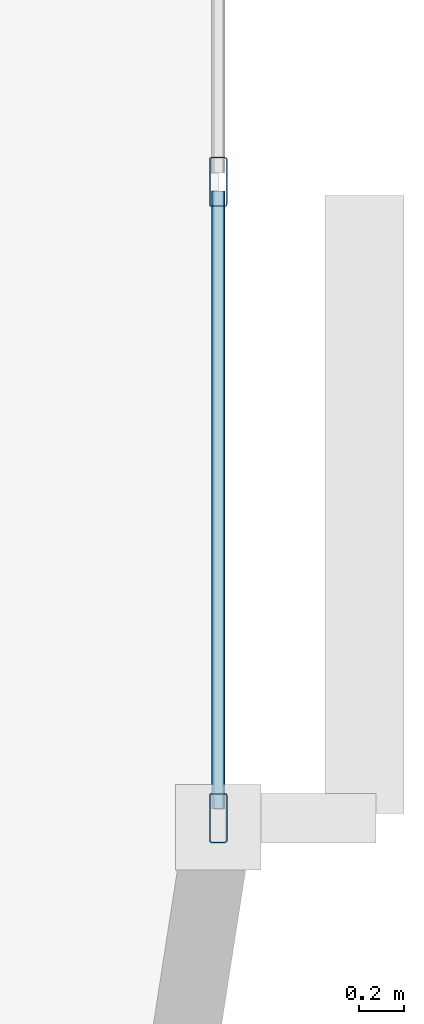
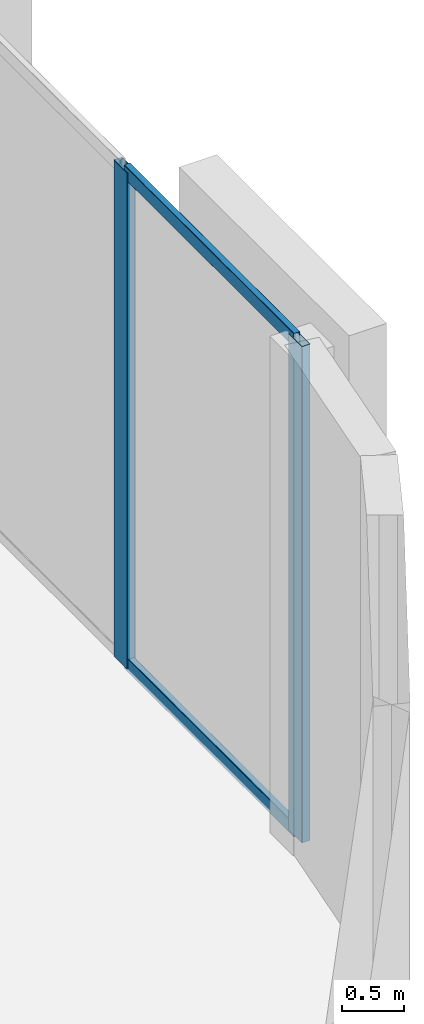
# One storey, part 4 of 14: 4 members, 1 element without a shape of its own.
"""IFC4 building model written with IfcOpenShell, lengths in metres."""

from ifc_helpers import new_model, si_unit, direction, frame, origin, origin_2d, place, context, subcontext, project, spatial, hollow_rectangle, extrude, material, layer, layer_set, material_profile, profile_set, type_object, element, aggregate, save


model = new_model("IFC4")

# Units and contexts
model_context = context("Model", 3, precision=1e-05, world=origin(), true_north=direction((0.0, 1.0)))
body_context = subcontext(model_context, "Body", "Model", "MODEL_VIEW")
ifc_project = project(units=[si_unit("LENGTHUNIT", "METRE"), si_unit("AREAUNIT", "SQUARE_METRE"), si_unit("VOLUMEUNIT", "CUBIC_METRE"), si_unit("PLANEANGLEUNIT", "RADIAN"), si_unit("MASSUNIT", "GRAM", prefix="KILO")], contexts=[model_context])

# Site, building, storey
site_placement = place(None, origin())
site = spatial("IfcSite", under=ifc_project, at=site_placement, CompositionType="ELEMENT")
building_placement = place(site_placement, origin())
building = spatial("IfcBuilding", under=site, at=building_placement, Name="An Khanh Terracotta Commons", CompositionType="ELEMENT")
storey_placement = place(building_placement, frame((0.0, 0.0, 81.199951171875)))
storey = spatial("IfcBuildingStorey", under=building, at=storey_placement, Name="L21", CompositionType="ELEMENT", Elevation=81.199951171875)

# Curtain wall, members
ifc_material = material(Name="Anodised Aluminium 6063-T6", Category="aluminium")
ifc_layer = layer(ifc_material, 0.239990234375, Name="Anodised Aluminium 6063-T6")
ifc_layer_set = layer_set([ifc_layer], Name="Anodised Aluminium 6063-T6")
curtain_wall_type = type_object("IfcCurtainWallType", Name="CW-SYS-04", PredefinedType="USERDEFINED", material=ifc_layer_set)
curtain_wall_placement = place(storey_placement, origin())
curtain_wall = element("IfcCurtainWall", 1, at=curtain_wall_placement, inside=storey, type_object=curtain_wall_type, Name="L21 CW-04 Unitised Curtain Wall CW-L21-12", ObjectType="UNITISED CURTAIN WALL", PredefinedType="USERDEFINED")
ifc_material_profile_1 = material_profile(ifc_material, hollow_rectangle(XDim=0.080078125, YDim=0.219970703125, WallThickness=0.0048828125, InnerFilletRadius=0.0048828125, OuterFilletRadius=0.010009765625, at=origin_2d()), Name="RHS220x80x5")
ifc_profile_set_1 = profile_set([ifc_material_profile_1], Name="Anodised Aluminium 6063-T6")
member_type_1 = type_object("IfcMemberType", Name="CWM-RHS220x80x5", PredefinedType="MULLION", material=ifc_profile_set_1)
member_1_placement = place(storey_placement, frame((57.39990234375, 15.43994140625, 0.0), z_axis=(0.0, 0.0, 1.0), x_axis=(-1.0, 0.0, 0.0)))
member_1 = element("IfcMember", 2, at=member_1_placement, type_object=member_type_1, Name="CW-04 mullion 1", PredefinedType="MULLION", context=body_context, shape_type="SweptSolid", body=[
    extrude(hollow_rectangle(XDim=0.080078125, YDim=0.219970703125, WallThickness=0.0048828125, InnerFilletRadius=0.0048828125, OuterFilletRadius=0.010009765625, at=origin_2d()), origin(), (0.0, 0.0, 1.0), 4.900146484375),
])
member_2_placement = place(storey_placement, frame((57.39990234375, 18.2666015625, 0.0), z_axis=(0.0, 0.0, 1.0), x_axis=(-1.0, 0.0, 0.0)))
member_2 = element("IfcMember", 3, at=member_2_placement, type_object=member_type_1, Name="CW-04 mullion 2", PredefinedType="MULLION", context=body_context, shape_type="SweptSolid", body=[
    extrude(hollow_rectangle(XDim=0.080078125, YDim=0.219970703125, WallThickness=0.0048828125, InnerFilletRadius=0.0048828125, OuterFilletRadius=0.010009765625, at=origin_2d()), origin(), (0.0, 0.0, 1.0), 4.900146484375),
])
ifc_material_profile_2 = material_profile(ifc_material, hollow_rectangle(XDim=0.06005859375, YDim=0.135009765625, WallThickness=0.003662109375, InnerFilletRadius=0.003662109375, OuterFilletRadius=0.007080078125, at=origin_2d()), Name="RHS135x60x3.6")
ifc_profile_set_2 = profile_set([ifc_material_profile_2], Name="Anodised Aluminium 6063-T6")
member_type_2 = type_object("IfcMemberType", Name="CWT-RHS135x60x3.6", PredefinedType="USERDEFINED", material=ifc_profile_set_2)
member_3_placement = place(storey_placement, frame((57.39990234375, 15.47998046875, 0.030029296875), z_axis=(0.0, 1.0, 0.0), x_axis=(-1.0, 0.0, 0.0)))
member_3 = element("IfcMember", 4, at=member_3_placement, type_object=member_type_2, Name="CW-04 transom 1.1", ObjectType="TRANSOM", PredefinedType="USERDEFINED", context=body_context, shape_type="SweptSolid", body=[
    extrude(hollow_rectangle(XDim=0.06005859375, YDim=0.135009765625, WallThickness=0.003662109375, InnerFilletRadius=0.003662109375, OuterFilletRadius=0.007080078125, at=origin_2d()), origin(), (0.0, 0.0, 1.0), 2.74658203125),
])
member_4_placement = place(storey_placement, frame((57.39990234375, 15.47998046875, 4.8701171875), z_axis=(0.0, 1.0, 0.0), x_axis=(-1.0, 0.0, 0.0)))
member_4 = element("IfcMember", 5, at=member_4_placement, type_object=member_type_2, Name="CW-04 transom 1.2", ObjectType="TRANSOM", PredefinedType="USERDEFINED", context=body_context, shape_type="SweptSolid", body=[
    extrude(hollow_rectangle(XDim=0.06005859375, YDim=0.135009765625, WallThickness=0.003662109375, InnerFilletRadius=0.003662109375, OuterFilletRadius=0.007080078125, at=origin_2d()), origin(), (0.0, 0.0, 1.0), 2.74658203125),
])
aggregate(curtain_wall, [member_1, member_2, member_3, member_4])

save(model, "model.ifc")
